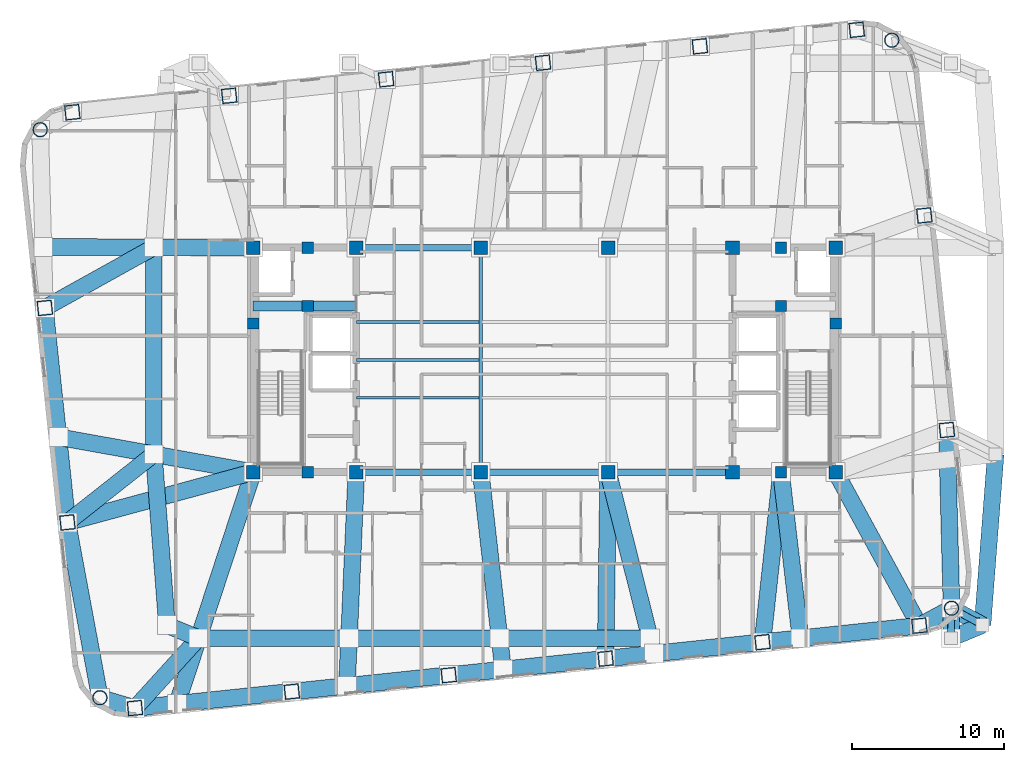
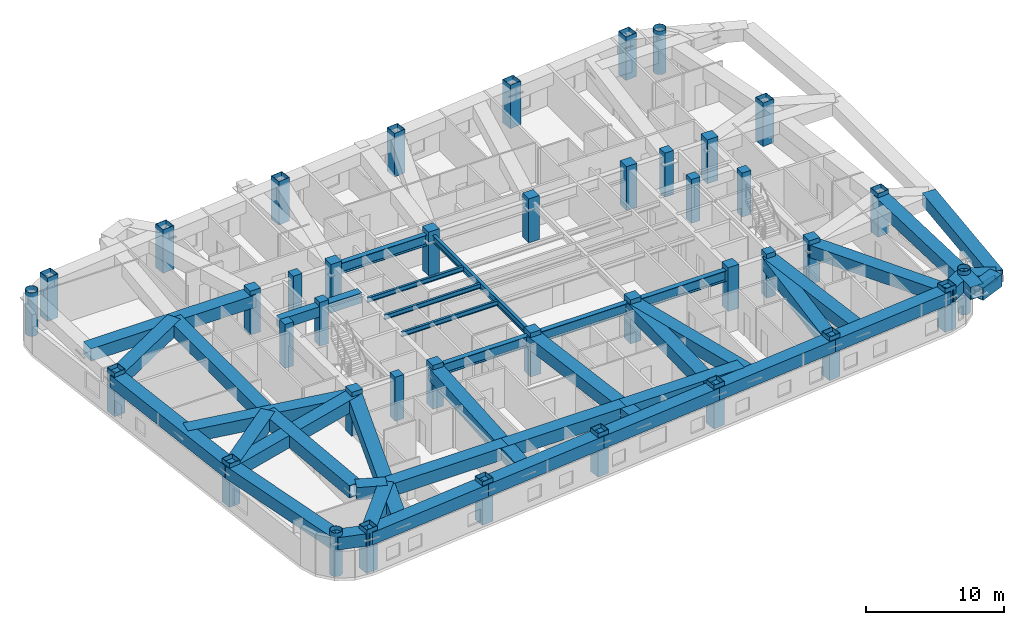
# One storey, part 1 of 13: 43 beams, 40 columns, 2 members.
"""IFC4 building model written with IfcOpenShell, lengths in metres."""

from ifc_helpers import new_model, si_unit, direction, frame, origin, origin_2d, place, context, subcontext, project, spatial, rectangle, hollow_rectangle, hollow_circle, i_section, extrude, material, material_profile, profile_set, type_object, element, save


model = new_model("IFC4")

# Units and contexts
model_context = context("Model", 3, precision=1e-05, world=origin(), true_north=direction((0.0, 1.0)))
body_context = subcontext(model_context, "Body", "Model", "MODEL_VIEW")
ifc_project = project(units=[si_unit("LENGTHUNIT", "METRE"), si_unit("AREAUNIT", "SQUARE_METRE"), si_unit("VOLUMEUNIT", "CUBIC_METRE"), si_unit("PLANEANGLEUNIT", "RADIAN"), si_unit("MASSUNIT", "GRAM", prefix="KILO")], contexts=[model_context])

# Site, building, storey
site_placement = place(None, origin())
site = spatial("IfcSite", under=ifc_project, at=site_placement, CompositionType="ELEMENT")
building_placement = place(site_placement, origin())
building = spatial("IfcBuilding", under=site, at=building_placement, Name="Voryun Gate Residences", CompositionType="ELEMENT")
storey_placement = place(building_placement, frame((0.0, 0.0, 191.10009765625)))
storey = spatial("IfcBuildingStorey", under=building, at=storey_placement, Name="L47", CompositionType="ELEMENT", Elevation=191.10009765625)

# Columns
ifc_material_1 = material(Name="Concrete C50/60", Category="concrete")
ifc_material_profile_1 = material_profile(ifc_material_1, rectangle(XDim=0.75, YDim=0.75, at=origin_2d()), Name="RC-750x750")
ifc_profile_set_1 = profile_set([ifc_material_profile_1], Name="Concrete C50/60")
column_type_1 = type_object("IfcColumnType", Name="COL_CORE_750", PredefinedType="COLUMN", material=ifc_profile_set_1)
for number, where, z_axis, x_axis, name in (
    (1, (-19.199951171875, 2.39990234375, 0.0), (0.0, 0.0, 1.0), (1.0, 0.0, 0.0), "L47 Core boundary column WC-MW"),
    (2, (-15.60009765625, -7.39990234375, 0.0), (0.0, 0.0, 1.0), (1.0, 0.0, 0.0), "L47 Core boundary column WC-SM"),
    (3, (-15.60009765625, 7.39990234375, 0.0), (0.0, 0.0, 1.0), (1.0, 0.0, 0.0), "L47 Core boundary column WC-NM"),
    (4, (-15.60009765625, 3.550048828125, 0.0), (0.0, 0.0, 1.0), (1.0, 0.0, 0.0), "L47 Core boundary column WC-MM"),
    (5, (15.60009765625, 3.550048828125, 0.0), (0.0, 0.0, 1.0), (1.0, 0.0, 0.0), "L47 Core boundary column EC-MM"),
    (6, (15.60009765625, -7.39990234375, 0.0), (0.0, 0.0, 1.0), (1.0, 0.0, 0.0), "L47 Core boundary column EC-SM"),
    (7, (15.60009765625, 7.39990234375, 0.0), (0.0, 0.0, 1.0), (1.0, 0.0, 0.0), "L47 Core boundary column EC-NM"),
    (8, (19.199951171875, 2.39990234375, 0.0), (0.0, 0.0, 1.0), (1.0, 0.0, 0.0), "L47 Core boundary column EC-ME"),
):
    element("IfcColumn", number, at=place(storey_placement, frame(where, z_axis=z_axis, x_axis=x_axis)), inside=storey, type_object=column_type_1, Name=name, PredefinedType="COLUMN", context=body_context, shape_type="SweptSolid", body=[
        extrude(rectangle(XDim=0.75, YDim=0.75, at=origin_2d()), origin(), (0.0, 0.0, 1.0), 3.89990234375),
    ])
ifc_material_2 = material(Name="Concrete C50/60", Category="concrete")
ifc_material_profile_2 = material_profile(ifc_material_2, rectangle(XDim=0.89990234375, YDim=0.89990234375, at=origin_2d()), Name="RC-900x900")
ifc_profile_set_2 = profile_set([ifc_material_profile_2], Name="Concrete C50/60")
column_type_2 = type_object("IfcColumnType", Name="COL_CORE_900", PredefinedType="COLUMN", material=ifc_profile_set_2)
for number, where, z_axis, x_axis, name in (
    (9, (-19.199951171875, -7.39990234375, 0.0), (0.0, 0.0, 1.0), (1.0, 0.0, 0.0), "L47 Core boundary column WC-SW"),
    (10, (-19.199951171875, 7.39990234375, 0.0), (0.0, 0.0, 1.0), (1.0, 0.0, 0.0), "L47 Core boundary column WC-NW"),
    (11, (-12.39990234375, -7.39990234375, 0.0), (0.0, 0.0, 1.0), (1.0, 0.0, 0.0), "L47 Core boundary column WC-SE"),
    (12, (-12.39990234375, 7.39990234375, 0.0), (0.0, 0.0, 1.0), (1.0, 0.0, 0.0), "L47 Core boundary column WC-NE"),
    (13, (12.39990234375, -7.39990234375, 0.0), (0.0, 0.0, 1.0), (1.0, 0.0, 0.0), "L47 Core boundary column EC-SW"),
    (14, (12.39990234375, 7.39990234375, 0.0), (0.0, 0.0, 1.0), (1.0, 0.0, 0.0), "L47 Core boundary column EC-NW"),
    (15, (19.199951171875, -7.39990234375, 0.0), (0.0, 0.0, 1.0), (1.0, 0.0, 0.0), "L47 Core boundary column EC-SE"),
    (16, (19.199951171875, 7.39990234375, 0.0), (0.0, 0.0, 1.0), (1.0, 0.0, 0.0), "L47 Core boundary column EC-NE"),
    (17, (-4.199951171875, -7.39990234375, 0.0), (0.0, 0.0, 1.0), (1.0, 0.0, 0.0), "L47 Interior spine column SP-WS"),
    (18, (-4.199951171875, 7.39990234375, 0.0), (0.0, 0.0, 1.0), (1.0, 0.0, 0.0), "L47 Interior spine column SP-WN"),
    (19, (4.199951171875, -7.39990234375, 0.0), (0.0, 0.0, 1.0), (1.0, 0.0, 0.0), "L47 Interior spine column SP-ES"),
    (20, (4.199951171875, 7.39990234375, 0.0), (0.0, 0.0, 1.0), (1.0, 0.0, 0.0), "L47 Interior spine column SP-EN"),
):
    element("IfcColumn", number, at=place(storey_placement, frame(where, z_axis=z_axis, x_axis=x_axis)), inside=storey, type_object=column_type_2, Name=name, PredefinedType="COLUMN", context=body_context, shape_type="SweptSolid", body=[
        extrude(rectangle(XDim=0.89990234375, YDim=0.89990234375, at=origin_2d()), origin(), (0.0, 0.0, 1.0), 3.89990234375),
    ])
ifc_material_3 = material(Name="Steel SM420", Category="steel")
ifc_material_profile_3 = material_profile(ifc_material_3, hollow_circle(Radius=0.47509765625, WallThickness=0.031982421875, at=origin_2d()), Name="CHS-950x32")
ifc_profile_set_3 = profile_set([ifc_material_profile_3], Name="Steel SM420")
column_type_3 = type_object("IfcColumnType", Name="COL_CRN_950", PredefinedType="COLUMN", material=ifc_profile_set_3)
for number, where, z_axis, x_axis, name in (
    (21, (26.8408203125, -16.373779296875, 0.0), (0.0, 0.0, 1.0), (0.994521895368, 0.104528463268, 0.0), "L47 Exoskeleton column CSE"),
    (22, (22.90478515625, 21.07470703125, 0.0), (0.0, 0.0, 1.0), (0.994521895368, 0.104528463268, 0.0), "L47 Exoskeleton column CNE"),
    (23, (-33.24072265625, 15.173583984375, 0.0), (0.0, 0.0, 1.0), (0.994521895368, 0.104528463268, 0.0), "L47 Exoskeleton column CNW"),
    (24, (-29.3046875, -22.27490234375, 0.0), (0.0, 0.0, 1.0), (0.994521895368, 0.104528463268, 0.0), "L47 Exoskeleton column CSW"),
):
    element("IfcColumn", number, at=place(storey_placement, frame(where, z_axis=z_axis, x_axis=x_axis)), inside=storey, type_object=column_type_3, Name=name, PredefinedType="COLUMN", context=body_context, shape_type="SweptSolid", body=[
        extrude(hollow_circle(Radius=0.47509765625, WallThickness=0.031982421875, at=origin_2d()), origin(), (0.0, 0.0, 1.0), 3.864990234375),
    ])
ifc_material_4 = material(Name="Steel SM420", Category="steel")
ifc_material_profile_4 = material_profile(ifc_material_4, hollow_rectangle(XDim=0.949951171875, YDim=0.949951171875, WallThickness=0.031982421875, at=origin_2d()), Name="BOX-950x950x32")
ifc_profile_set_4 = profile_set([ifc_material_profile_4], Name="Steel SM420")
column_type_4 = type_object("IfcColumnType", Name="COL_EXO_B3", PredefinedType="COLUMN", material=ifc_profile_set_4)
for number, where, z_axis, x_axis, name in (
    (25, (-26.9931640625, -22.95947265625, 0.0), (0.0, 0.0, 1.0), (0.994521895368, 0.104528463268, 0.0), "L47 Exoskeleton column S1"),
    (26, (-16.650146484375, -21.87255859375, 0.0), (0.0, 0.0, 1.0), (0.994521895368, 0.104528463268, 0.0), "L47 Exoskeleton column S2"),
    (27, (-6.30712890625, -20.785400390625, 0.0), (0.0, 0.0, 1.0), (0.994521895368, 0.104528463268, 0.0), "L47 Exoskeleton column S3"),
    (28, (4.035888671875, -19.6982421875, 0.0), (0.0, 0.0, 1.0), (0.994521895368, 0.104528463268, 0.0), "L47 Exoskeleton column S4"),
    (29, (14.37890625, -18.611083984375, 0.0), (0.0, 0.0, 1.0), (0.994521895368, 0.104528463268, 0.0), "L47 Exoskeleton column S5"),
    (30, (24.721923828125, -17.524169921875, 0.0), (0.0, 0.0, 1.0), (0.994521895368, 0.104528463268, 0.0), "L47 Exoskeleton column S6"),
    (31, (26.533447265625, -4.6240234375, 0.0), (0.0, 0.0, 1.0), (0.994521895368, 0.104528463268, 0.0), "L47 Exoskeleton column E1"),
    (32, (25.047119140625, 9.51806640625, 0.0), (0.0, 0.0, 1.0), (0.994521895368, 0.104528463268, 0.0), "L47 Exoskeleton column E2"),
    (33, (20.593017578125, 21.759521484375, 0.0), (0.0, 0.0, 1.0), (0.994521895368, 0.104528463268, 0.0), "L47 Exoskeleton column N1"),
    (34, (10.25, 20.67236328125, 0.0), (0.0, 0.0, 1.0), (0.994521895368, 0.104528463268, 0.0), "L47 Exoskeleton column N2"),
    (35, (-0.093017578125, 19.58544921875, 0.0), (0.0, 0.0, 1.0), (0.994521895368, 0.104528463268, 0.0), "L47 Exoskeleton column N3"),
    (36, (-10.43603515625, 18.498291015625, 0.0), (0.0, 0.0, 1.0), (0.994521895368, 0.104528463268, 0.0), "L47 Exoskeleton column N4"),
    (37, (-20.779052734375, 17.4111328125, 0.0), (0.0, 0.0, 1.0), (0.994521895368, 0.104528463268, 0.0), "L47 Exoskeleton column N5"),
    (38, (-31.1220703125, 16.323974609375, 0.0), (0.0, 0.0, 1.0), (0.994521895368, 0.104528463268, 0.0), "L47 Exoskeleton column N6"),
    (39, (-32.93359375, 3.424072265625, 0.0), (0.0, 0.0, 1.0), (0.994521895368, 0.104528463268, 0.0), "L47 Exoskeleton column W1"),
    (40, (-31.447021484375, -10.718017578125, 0.0), (0.0, 0.0, 1.0), (0.994521895368, 0.104528463268, 0.0), "L47 Exoskeleton column W2"),
):
    element("IfcColumn", number, at=place(storey_placement, frame(where, z_axis=z_axis, x_axis=x_axis)), inside=storey, type_object=column_type_4, Name=name, PredefinedType="COLUMN", context=body_context, shape_type="SweptSolid", body=[
        extrude(hollow_rectangle(XDim=0.949951171875, YDim=0.949951171875, WallThickness=0.031982421875, at=origin_2d()), origin(), (0.0, 0.0, 1.0), 3.864990234375),
    ])

# Beams
ifc_material_5 = material(Name="Steel SM420", Category="steel")
ifc_material_profile_5 = material_profile(ifc_material_5, hollow_rectangle(XDim=1.10009765625, YDim=1.10009765625, WallThickness=0.035888671875, at=origin_2d()), Name="BOX-1100x1100x36")
ifc_profile_set_5 = profile_set([ifc_material_profile_5], Name="Steel SM420")
beam_type_1 = type_object("IfcBeamType", Name="BM_ARCH_RIB", PredefinedType="USERDEFINED", material=ifc_profile_set_5)
for number, where, z_axis, x_axis, name in (
    (41, (-26.9931640625, -22.95947265625, 2.949951171875), (0.99452370336, 0.10451125994, 0.0), (-0.10451125994, 0.99452370336, 0.0), "BM-L47-SPAND-01"),
    (42, (-16.650146484375, -21.87255859375, 2.949951171875), (0.994521263116, 0.104534478571, 0.0), (-0.104534478571, 0.994521263116, 0.0), "BM-L47-SPAND-02"),
    (43, (-6.30712890625, -20.785400390625, 2.949951171875), (0.994521263116, 0.104534478571, 0.0), (-0.104534478571, 0.994521263116, 0.0), "BM-L47-SPAND-03"),
    (44, (4.035888671875, -19.6982421875, 2.949951171875), (0.994521263116, 0.104534478571, 0.0), (-0.104534478571, 0.994521263116, 0.0), "BM-L47-SPAND-04"),
    (45, (14.37890625, -18.611083984375, 2.949951171875), (0.99452370336, 0.10451125994, 0.0), (-0.10451125994, 0.99452370336, 0.0), "BM-L47-SPAND-05"),
):
    element("IfcBeam", number, at=place(storey_placement, frame(where, z_axis=z_axis, x_axis=x_axis)), inside=storey, type_object=beam_type_1, Name=name, ObjectType="GIRDER", PredefinedType="USERDEFINED", context=body_context, shape_type="SweptSolid", body=[
        extrude(hollow_rectangle(XDim=1.10009765625, YDim=1.10009765625, WallThickness=0.035888671875, at=origin_2d()), origin(), (0.0, 0.0, 1.0), 10.39990234375),
    ])
beam_1_placement = place(storey_placement, frame((24.721923828125, -17.524169921875, 2.949951171875), z_axis=(0.878830382314, 0.477134319791, 0.0), x_axis=(-0.477134319791, 0.878830382314, 0.0)))
element("IfcBeam", 46, at=beam_1_placement, inside=storey, type_object=beam_type_1, Name="BM-L47-SPAND-06", ObjectType="GIRDER", PredefinedType="USERDEFINED", context=body_context, shape_type="SweptSolid", body=[
    extrude(hollow_rectangle(XDim=1.10009765625, YDim=1.10009765625, WallThickness=0.035888671875, at=origin_2d()), origin(), (0.0, 0.0, 1.0), 2.4111328125),
])
beam_2_placement = place(storey_placement, frame((26.8408203125, -16.373779296875, 2.949951171875), z_axis=(-0.026151005195, 0.999658003983, 0.0), x_axis=(-0.999658003983, -0.026151005195, 0.0)))
element("IfcBeam", 47, at=beam_2_placement, inside=storey, type_object=beam_type_1, Name="BM-L47-SPAND-07", ObjectType="GIRDER", PredefinedType="USERDEFINED", context=body_context, shape_type="SweptSolid", body=[
    extrude(hollow_rectangle(XDim=1.10009765625, YDim=1.10009765625, WallThickness=0.035888671875, at=origin_2d()), origin(), (0.0, 0.0, 1.0), 11.753662109375),
])
beam_3_placement = place(storey_placement, frame((-32.93359375, 3.424072265625, 2.949951171875), z_axis=(0.104540894669, -0.994520588697, 0.0), x_axis=(0.994520588697, 0.104540894669, 0.0)))
element("IfcBeam", 48, at=beam_3_placement, inside=storey, type_object=beam_type_1, Name="BM-L47-SPAND-18", ObjectType="GIRDER", PredefinedType="USERDEFINED", context=body_context, shape_type="SweptSolid", body=[
    extrude(hollow_rectangle(XDim=1.10009765625, YDim=1.10009765625, WallThickness=0.035888671875, at=origin_2d()), origin(), (0.0, 0.0, 1.0), 14.219970703125),
])
beam_4_placement = place(storey_placement, frame((-31.447021484375, -10.718017578125, 2.949951171875), z_axis=(0.182267768769, -0.983248931079, 0.0), x_axis=(0.983248931079, 0.182267768769, 0.0)))
element("IfcBeam", 49, at=beam_4_placement, inside=storey, type_object=beam_type_1, Name="BM-L47-SPAND-19", ObjectType="GIRDER", PredefinedType="USERDEFINED", context=body_context, shape_type="SweptSolid", body=[
    extrude(hollow_rectangle(XDim=1.10009765625, YDim=1.10009765625, WallThickness=0.035888671875, at=origin_2d()), origin(), (0.0, 0.0, 1.0), 11.753662109375),
])
beam_5_placement = place(storey_placement, frame((-29.3046875, -22.27490234375, 2.949951171875), z_axis=(0.958834884093, -0.283964196768, 0.0), x_axis=(0.283964196768, 0.958834884093, 0.0)))
element("IfcBeam", 50, at=beam_5_placement, inside=storey, type_object=beam_type_1, Name="BM-L47-SPAND-20", ObjectType="GIRDER", PredefinedType="USERDEFINED", context=body_context, shape_type="SweptSolid", body=[
    extrude(hollow_rectangle(XDim=1.10009765625, YDim=1.10009765625, WallThickness=0.035888671875, at=origin_2d()), origin(), (0.0, 0.0, 1.0), 2.41064453125),
])
beam_6_placement = place(storey_placement, frame((-19.199951171875, -7.39990234375, 2.949951171875), z_axis=(-0.312315065651, -0.949978578583, 0.0), x_axis=(0.949978578583, -0.312315065651, 0.0)))
element("IfcBeam", 51, at=beam_6_placement, inside=storey, type_object=beam_type_1, Name="BM-L47-XFERCANT-S1", ObjectType="GIRDER", PredefinedType="USERDEFINED", context=body_context, shape_type="SweptSolid", body=[
    extrude(hollow_rectangle(XDim=1.10009765625, YDim=1.10009765625, WallThickness=0.035888671875, at=origin_2d()), origin(), (0.0, 0.0, 1.0), 16.072021484375),
])
beam_7_placement = place(storey_placement, frame((-26.9931640625, -22.95947265625, 2.949951171875), z_axis=(0.67291652447, 0.7397184269, 0.0), x_axis=(-0.7397184269, 0.67291652447, 0.0)))
element("IfcBeam", 52, at=beam_7_placement, inside=storey, type_object=beam_type_1, Name="BM-L47-XFERLOW-S1", ObjectType="GIRDER", PredefinedType="USERDEFINED", context=body_context, shape_type="SweptSolid", body=[
    extrude(hollow_rectangle(XDim=1.10009765625, YDim=1.10009765625, WallThickness=0.035888671875, at=origin_2d()), origin(), (0.0, 0.0, 1.0), 6.231201171875),
])
beam_8_placement = place(storey_placement, frame((-12.39990234375, -7.39990234375, 2.949951171875), z_axis=(-0.043793276631, -0.99904061425, 0.0), x_axis=(0.99904061425, -0.043793276631, 0.0)))
element("IfcBeam", 53, at=beam_8_placement, inside=storey, type_object=beam_type_1, Name="BM-L47-XFERCANT-S2", ObjectType="GIRDER", PredefinedType="USERDEFINED", context=body_context, shape_type="SweptSolid", body=[
    extrude(hollow_rectangle(XDim=1.10009765625, YDim=1.10009765625, WallThickness=0.035888671875, at=origin_2d()), origin(), (0.0, 0.0, 1.0), 14.104248046875),
])
beam_9_placement = place(storey_placement, frame((-4.199951171875, -7.39990234375, 2.949951171875), z_axis=(0.112518890524, -0.993649585757, 0.0), x_axis=(0.993649585757, 0.112518890524, 0.0)))
element("IfcBeam", 54, at=beam_9_placement, inside=storey, type_object=beam_type_1, Name="BM-L47-XFERCANT-S3", ObjectType="GIRDER", PredefinedType="USERDEFINED", context=body_context, shape_type="SweptSolid", body=[
    extrude(hollow_rectangle(XDim=1.10009765625, YDim=1.10009765625, WallThickness=0.035888671875, at=origin_2d()), origin(), (0.0, 0.0, 1.0), 13.092529296875),
])
beam_10_placement = place(storey_placement, frame((4.199951171875, -7.39990234375, 2.949951171875), z_axis=(0.244411463336, -0.969671612759, 0.0), x_axis=(0.969671612759, 0.244411463336, 0.0)))
element("IfcBeam", 55, at=beam_10_placement, inside=storey, type_object=beam_type_1, Name="BM-L47-XFERCANT-S4", ObjectType="GIRDER", PredefinedType="USERDEFINED", context=body_context, shape_type="SweptSolid", body=[
    extrude(hollow_rectangle(XDim=1.10009765625, YDim=1.10009765625, WallThickness=0.035888671875, at=origin_2d()), origin(), (0.0, 0.0, 1.0), 12.33837890625),
])
beam_11_placement = place(storey_placement, frame((15.60009765625, -7.39990234375, 2.949951171875), z_axis=(0.116101025779, -0.993237409592, 0.0), x_axis=(0.993237409592, 0.116101025779, 0.0)))
element("IfcBeam", 56, at=beam_11_placement, inside=storey, type_object=beam_type_1, Name="BM-L47-XFERCANT-S5", ObjectType="GIRDER", PredefinedType="USERDEFINED", context=body_context, shape_type="SweptSolid", body=[
    extrude(hollow_rectangle(XDim=1.10009765625, YDim=1.10009765625, WallThickness=0.035888671875, at=origin_2d()), origin(), (0.0, 0.0, 1.0), 11.02294921875),
])
beam_12_placement = place(storey_placement, frame((26.8408203125, -16.373779296875, 2.949951171875), z_axis=(-0.020625629887, -0.999787269069, 0.0), x_axis=(0.999787269069, -0.020625629887, 0.0)))
element("IfcBeam", 57, at=beam_12_placement, inside=storey, type_object=beam_type_1, Name="BM-L47-XFERLOW-S6", ObjectType="GIRDER", PredefinedType="USERDEFINED", context=body_context, shape_type="SweptSolid", body=[
    extrude(hollow_rectangle(XDim=1.10009765625, YDim=1.10009765625, WallThickness=0.035888671875, at=origin_2d()), origin(), (0.0, 0.0, 1.0), 1.976806640625),
])
beam_13_placement = place(storey_placement, frame((26.8408203125, -16.373779296875, 2.949951171875), z_axis=(0.878480041415, -0.477779046041, 0.0), x_axis=(0.477779046041, 0.878480041415, 0.0)))
element("IfcBeam", 58, at=beam_13_placement, inside=storey, type_object=beam_type_1, Name="BM-L47-XFERLOW-CSE", ObjectType="GIRDER", PredefinedType="USERDEFINED", context=body_context, shape_type="SweptSolid", body=[
    extrude(hollow_rectangle(XDim=1.10009765625, YDim=1.10009765625, WallThickness=0.035888671875, at=origin_2d()), origin(), (0.0, 0.0, 1.0), 2.328125),
])
beam_14_placement = place(storey_placement, frame((-19.199951171875, 7.39990234375, 2.949951171875), z_axis=(-0.999994323089, 0.003369538418, 0.0), x_axis=(-0.003369538418, -0.999994323089, 0.0)))
element("IfcBeam", 59, at=beam_14_placement, inside=storey, type_object=beam_type_1, Name="BM-L47-XFERCANT-W1", ObjectType="GIRDER", PredefinedType="USERDEFINED", context=body_context, shape_type="SweptSolid", body=[
    extrude(hollow_rectangle(XDim=1.10009765625, YDim=1.10009765625, WallThickness=0.035888671875, at=origin_2d()), origin(), (0.0, 0.0, 1.0), 13.8388671875),
])
beam_15_placement = place(storey_placement, frame((-32.93359375, 3.424072265625, 2.949951171875), z_axis=(0.873787218312, 0.486308438251, 0.0), x_axis=(-0.486308438251, 0.873787218312, 0.0)))
element("IfcBeam", 60, at=beam_15_placement, inside=storey, type_object=beam_type_1, Name="BM-L47-XFERLOW-W1", ObjectType="GIRDER", PredefinedType="USERDEFINED", context=body_context, shape_type="SweptSolid", body=[
    extrude(hollow_rectangle(XDim=1.10009765625, YDim=1.10009765625, WallThickness=0.035888671875, at=origin_2d()), origin(), (0.0, 0.0, 1.0), 8.22119140625),
])
beam_16_placement = place(storey_placement, frame((-19.199951171875, -7.39990234375, 2.949951171875), z_axis=(-0.984211570171, 0.176996003178, 0.0), x_axis=(-0.176996003178, -0.984211570171, 0.0)))
element("IfcBeam", 61, at=beam_16_placement, inside=storey, type_object=beam_type_1, Name="BM-L47-XFERCANT-W2", ObjectType="GIRDER", PredefinedType="USERDEFINED", context=body_context, shape_type="SweptSolid", body=[
    extrude(hollow_rectangle(XDim=1.10009765625, YDim=1.10009765625, WallThickness=0.035888671875, at=origin_2d()), origin(), (0.0, 0.0, 1.0), 13.044677734375),
])
beam_17_placement = place(storey_placement, frame((-31.447021484375, -10.718017578125, 2.949951171875), z_axis=(0.784986946262, 0.619512303508, 0.0), x_axis=(-0.619512303508, 0.784986946262, 0.0)))
element("IfcBeam", 62, at=beam_17_placement, inside=storey, type_object=beam_type_1, Name="BM-L47-XFERLOW-W2", ObjectType="GIRDER", PredefinedType="USERDEFINED", context=body_context, shape_type="SweptSolid", body=[
    extrude(hollow_rectangle(XDim=1.10009765625, YDim=1.10009765625, WallThickness=0.035888671875, at=origin_2d()), origin(), (0.0, 0.0, 1.0), 7.257568359375),
])
beam_18_placement = place(storey_placement, frame((-22.800048828125, -18.35009765625, 2.949951171875), z_axis=(1.0, 0.0, 0.0), x_axis=(0.0, 1.0, 0.0)))
element("IfcBeam", 63, at=beam_18_placement, inside=storey, type_object=beam_type_1, Name="BM-L47-XFERRING-01", ObjectType="GIRDER", PredefinedType="USERDEFINED", context=body_context, shape_type="SweptSolid", body=[
    extrude(hollow_rectangle(XDim=1.10009765625, YDim=1.10009765625, WallThickness=0.035888671875, at=origin_2d()), origin(), (0.0, 0.0, 1.0), 9.920166015625),
])
for number, where, z_axis, x_axis, name in (
    (64, (-12.8798828125, -18.35009765625, 2.949951171875), (1.0, 0.0, 0.0), (0.0, 1.0, 0.0), "BM-L47-XFERRING-02"),
    (65, (-2.9599609375, -18.35009765625, 2.949951171875), (1.0, 0.0, 0.0), (0.0, 1.0, 0.0), "BM-L47-XFERRING-03"),
):
    element("IfcBeam", number, at=place(storey_placement, frame(where, z_axis=z_axis, x_axis=x_axis)), inside=storey, type_object=beam_type_1, Name=name, ObjectType="GIRDER", PredefinedType="USERDEFINED", context=body_context, shape_type="SweptSolid", body=[
        extrude(hollow_rectangle(XDim=1.10009765625, YDim=1.10009765625, WallThickness=0.035888671875, at=origin_2d()), origin(), (0.0, 0.0, 1.0), 9.919921875),
    ])
beam_19_placement = place(storey_placement, frame((26.800048828125, -18.35009765625, 2.949951171875), z_axis=(0.923881087602, 0.382679678022, 0.0), x_axis=(-0.382679678022, 0.923881087602, 0.0)))
element("IfcBeam", 66, at=beam_19_placement, inside=storey, type_object=beam_type_1, Name="BM-L47-XFERRING-06", ObjectType="GIRDER", PredefinedType="USERDEFINED", context=body_context, shape_type="SweptSolid", body=[
    extrude(hollow_rectangle(XDim=1.10009765625, YDim=1.10009765625, WallThickness=0.035888671875, at=origin_2d()), origin(), (0.0, 0.0, 1.0), 2.2578125),
])
beam_20_placement = place(storey_placement, frame((28.885986328125, -17.486083984375, 2.949951171875), z_axis=(0.076480009441, 0.997071114894, 0.0), x_axis=(-0.997071114894, 0.076480009441, 0.0)))
element("IfcBeam", 67, at=beam_20_placement, inside=storey, type_object=beam_type_1, Name="BM-L47-XFERRING-07", ObjectType="GIRDER", PredefinedType="USERDEFINED", context=body_context, shape_type="SweptSolid", body=[
    extrude(hollow_rectangle(XDim=1.10009765625, YDim=1.10009765625, WallThickness=0.035888671875, at=origin_2d()), origin(), (0.0, 0.0, 1.0), 11.29736328125),
])
beam_21_placement = place(storey_placement, frame((-25.75, 7.422119140625, 2.949951171875), z_axis=(0.0, -1.0, 0.0), x_axis=(1.0, 0.0, 0.0)))
element("IfcBeam", 68, at=beam_21_placement, inside=storey, type_object=beam_type_1, Name="BM-L47-XFERRING-18", ObjectType="GIRDER", PredefinedType="USERDEFINED", context=body_context, shape_type="SweptSolid", body=[
    extrude(hollow_rectangle(XDim=1.10009765625, YDim=1.10009765625, WallThickness=0.035888671875, at=origin_2d()), origin(), (0.0, 0.0, 1.0), 13.64404296875),
])
beam_22_placement = place(storey_placement, frame((-25.75, -6.221923828125, 2.949951171875), z_axis=(0.076480009441, -0.997071114894, 0.0), x_axis=(0.997071114894, 0.076480009441, 0.0)))
element("IfcBeam", 69, at=beam_22_placement, inside=storey, type_object=beam_type_1, Name="BM-L47-XFERRING-19", ObjectType="GIRDER", PredefinedType="USERDEFINED", context=body_context, shape_type="SweptSolid", body=[
    extrude(hollow_rectangle(XDim=1.10009765625, YDim=1.10009765625, WallThickness=0.035888671875, at=origin_2d()), origin(), (0.0, 0.0, 1.0), 11.29736328125),
])
beam_23_placement = place(storey_placement, frame((-24.885986328125, -17.486083984375, 2.949951171875), z_axis=(0.923881087602, -0.382679678022, 0.0), x_axis=(0.382679678022, 0.923881087602, 0.0)))
element("IfcBeam", 70, at=beam_23_placement, inside=storey, type_object=beam_type_1, Name="BM-L47-XFERRING-20", ObjectType="GIRDER", PredefinedType="USERDEFINED", context=body_context, shape_type="SweptSolid", body=[
    extrude(hollow_rectangle(XDim=1.10009765625, YDim=1.10009765625, WallThickness=0.035888671875, at=origin_2d()), origin(), (0.0, 0.0, 1.0), 2.2578125),
])
beam_24_placement = place(storey_placement, frame((4.199951171875, -7.39990234375, 2.949951171875), z_axis=(-0.013339028327, -0.999911031204, 0.0), x_axis=(0.999911031204, -0.013339028327, 0.0)))
element("IfcBeam", 71, at=beam_24_placement, inside=storey, type_object=beam_type_1, Name="BM-L47-RAD-S4", ObjectType="GIRDER", PredefinedType="USERDEFINED", context=body_context, shape_type="SweptSolid", body=[
    extrude(hollow_rectangle(XDim=1.10009765625, YDim=1.10009765625, WallThickness=0.035888671875, at=origin_2d()), origin(), (0.0, 0.0, 1.0), 12.29931640625),
])
beam_25_placement = place(storey_placement, frame((15.60009765625, -7.39990234375, 2.949951171875), z_axis=(-0.108285693252, -0.994119816037, 0.0), x_axis=(0.994119816037, -0.108285693252, 0.0)))
element("IfcBeam", 72, at=beam_25_placement, inside=storey, type_object=beam_type_1, Name="BM-L47-RAD-S5", ObjectType="GIRDER", PredefinedType="USERDEFINED", context=body_context, shape_type="SweptSolid", body=[
    extrude(hollow_rectangle(XDim=1.10009765625, YDim=1.10009765625, WallThickness=0.035888671875, at=origin_2d()), origin(), (0.0, 0.0, 1.0), 11.277587890625),
])
beam_26_placement = place(storey_placement, frame((19.199951171875, -7.39990234375, 2.949951171875), z_axis=(0.478828398266, -0.877908517451, 0.0), x_axis=(0.877908517451, 0.478828398266, 0.0)))
element("IfcBeam", 73, at=beam_26_placement, inside=storey, type_object=beam_type_1, Name="BM-L47-RAD-S6", ObjectType="GIRDER", PredefinedType="USERDEFINED", context=body_context, shape_type="SweptSolid", body=[
    extrude(hollow_rectangle(XDim=1.10009765625, YDim=1.10009765625, WallThickness=0.035888671875, at=origin_2d()), origin(), (0.0, 0.0, 1.0), 11.5322265625),
])
beam_27_placement = place(storey_placement, frame((-19.199951171875, -7.39990234375, 2.949951171875), z_axis=(-0.965202497616, -0.261503611058, 0.0), x_axis=(0.261503611058, -0.965202497616, 0.0)))
element("IfcBeam", 74, at=beam_27_placement, inside=storey, type_object=beam_type_1, Name="BM-L47-RAD-W2", ObjectType="GIRDER", PredefinedType="USERDEFINED", context=body_context, shape_type="SweptSolid", body=[
    extrude(hollow_rectangle(XDim=1.10009765625, YDim=1.10009765625, WallThickness=0.035888671875, at=origin_2d()), origin(), (0.0, 0.0, 1.0), 12.688720703125),
])
ifc_material_6 = material(Name="Concrete C60/75", Category="concrete")
ifc_material_profile_6 = material_profile(ifc_material_6, rectangle(XDim=0.64990234375, YDim=0.89990234375, at=origin_2d()), Name="RC-650x900")
ifc_profile_set_6 = profile_set([ifc_material_profile_6], Name="Concrete C60/75")
beam_type_2 = type_object("IfcBeamType", Name="BM_COUP_RC900", PredefinedType="LINTEL", material=ifc_profile_set_6)
beam_28_placement = place(storey_placement, frame((-19.199951171875, 3.550048828125, 3.0498046875), z_axis=(1.0, 0.0, 0.0), x_axis=(0.0, 1.0, 0.0)))
element("IfcBeam", 75, at=beam_28_placement, inside=storey, type_object=beam_type_2, Name="BM-L47-WC1", PredefinedType="LINTEL", context=body_context, shape_type="SweptSolid", body=[
    extrude(rectangle(XDim=0.64990234375, YDim=0.89990234375, at=origin_2d()), origin(), (0.0, 0.0, 1.0), 6.800048828125),
])
ifc_material_7 = material(Name="Steel SM355", Category="steel")
ifc_material_profile_7 = material_profile(ifc_material_7, i_section(OverallWidth=0.25, OverallDepth=0.60009765625, WebThickness=0.011962890625, FlangeThickness=0.02197265625, FilletRadius=0.01806640625, at=origin_2d()), Name="H-600x250x12x22")
ifc_profile_set_7 = profile_set([ifc_material_profile_7], Name="Steel SM355")
beam_type_3 = type_object("IfcBeamType", Name="BM_GIRD_600", PredefinedType="USERDEFINED", material=ifc_profile_set_7)
beam_29_placement = place(storey_placement, frame((-4.199951171875, -7.39990234375, 3.199951171875), z_axis=(0.0, 1.0, 0.0), x_axis=(-1.0, 0.0, 0.0)))
element("IfcBeam", 76, at=beam_29_placement, inside=storey, type_object=beam_type_3, Name="BM-L47-SPX-W", ObjectType="GIRDER", PredefinedType="USERDEFINED", context=body_context, shape_type="SweptSolid", body=[
    extrude(i_section(OverallWidth=0.25, OverallDepth=0.60009765625, WebThickness=0.011962890625, FlangeThickness=0.02197265625, FilletRadius=0.01806640625, at=origin_2d()), origin(), (0.0, 0.0, 1.0), 14.7998046875),
])
ifc_material_8 = material(Name="Steel SM355", Category="steel")
ifc_material_profile_8 = material_profile(ifc_material_8, i_section(OverallWidth=0.18994140625, OverallDepth=0.419921875, WebThickness=0.009033203125, FlangeThickness=0.01611328125, FilletRadius=0.01806640625, at=origin_2d()), Name="H-420x190x9x16")
ifc_profile_set_8 = profile_set([ifc_material_profile_8], Name="Steel SM355")
beam_type_4 = type_object("IfcBeamType", Name="BM_SEC_420", PredefinedType="BEAM", material=ifc_profile_set_8)
for number, where, z_axis, x_axis, name in (
    (77, (-12.39990234375, -2.5, 3.289794921875), (1.0, 0.0, 0.0), (0.0, 1.0, 0.0), "BM-L47-SEC-CS1"),
    (78, (-12.39990234375, 0.0, 3.289794921875), (1.0, 0.0, 0.0), (0.0, 1.0, 0.0), "BM-L47-SEC-CM1"),
    (79, (-12.39990234375, 2.5, 3.289794921875), (1.0, 0.0, 0.0), (0.0, 1.0, 0.0), "BM-L47-SEC-CN1"),
):
    element("IfcBeam", number, at=place(storey_placement, frame(where, z_axis=z_axis, x_axis=x_axis)), inside=storey, type_object=beam_type_4, Name=name, PredefinedType="BEAM", context=body_context, shape_type="SweptSolid", body=[
        extrude(i_section(OverallWidth=0.18994140625, OverallDepth=0.419921875, WebThickness=0.009033203125, FlangeThickness=0.01611328125, FilletRadius=0.01806640625, at=origin_2d()), origin(), (0.0, 0.0, 1.0), 8.099853515625),
    ])
ifc_material_9 = material(Name="Steel SM420", Category="steel")
ifc_material_profile_9 = material_profile(ifc_material_9, i_section(OverallWidth=0.419921875, OverallDepth=0.949951171875, WebThickness=0.02001953125, FlangeThickness=0.035888671875, FilletRadius=0.01806640625, at=origin_2d()), Name="H-950x420x20x36")
ifc_profile_set_9 = profile_set([ifc_material_profile_9], Name="Steel SM420")
beam_type_5 = type_object("IfcBeamType", Name="BM_XFER_950", PredefinedType="USERDEFINED", material=ifc_profile_set_9)
beam_30_placement = place(storey_placement, frame((-12.39990234375, -7.39990234375, 3.02490234375), z_axis=(1.0, 0.0, 0.0), x_axis=(0.0, 1.0, 0.0)))
element("IfcBeam", 80, at=beam_30_placement, inside=storey, type_object=beam_type_5, Name="BM-L47-SPG1-S", ObjectType="GIRDER", PredefinedType="USERDEFINED", context=body_context, shape_type="SweptSolid", body=[
    extrude(i_section(OverallWidth=0.419921875, OverallDepth=0.949951171875, WebThickness=0.02001953125, FlangeThickness=0.035888671875, FilletRadius=0.01806640625, at=origin_2d()), origin(), (0.0, 0.0, 1.0), 8.199951171875),
])
beam_31_placement = place(storey_placement, frame((-4.199951171875, -7.39990234375, 3.02490234375), z_axis=(1.0, 0.0, 0.0), x_axis=(0.0, 1.0, 0.0)))
element("IfcBeam", 81, at=beam_31_placement, inside=storey, type_object=beam_type_5, Name="BM-L47-SPG2-S", ObjectType="GIRDER", PredefinedType="USERDEFINED", context=body_context, shape_type="SweptSolid", body=[
    extrude(i_section(OverallWidth=0.419921875, OverallDepth=0.949951171875, WebThickness=0.02001953125, FlangeThickness=0.035888671875, FilletRadius=0.01806640625, at=origin_2d()), origin(), (0.0, 0.0, 1.0), 8.39990234375),
])
for number, where, z_axis, x_axis, name in (
    (82, (4.199951171875, -7.39990234375, 3.02490234375), (1.0, 0.0, 0.0), (0.0, 1.0, 0.0), "BM-L47-SPG3-S"),
    (83, (-12.39990234375, 7.39990234375, 3.02490234375), (1.0, 0.0, 0.0), (0.0, 1.0, 0.0), "BM-L47-SPG1-N"),
):
    element("IfcBeam", number, at=place(storey_placement, frame(where, z_axis=z_axis, x_axis=x_axis)), inside=storey, type_object=beam_type_5, Name=name, ObjectType="GIRDER", PredefinedType="USERDEFINED", context=body_context, shape_type="SweptSolid", body=[
        extrude(i_section(OverallWidth=0.419921875, OverallDepth=0.949951171875, WebThickness=0.02001953125, FlangeThickness=0.035888671875, FilletRadius=0.01806640625, at=origin_2d()), origin(), (0.0, 0.0, 1.0), 8.199951171875),
    ])

# Members
ifc_material_10 = material(Name="Steel SM420", Category="steel")
ifc_material_profile_10 = material_profile(ifc_material_10, hollow_circle(Radius=0.22998046875, WallThickness=0.02197265625, at=origin_2d()), Name="CHS-460x22")
ifc_profile_set_10 = profile_set([ifc_material_profile_10], Name="Steel SM420")
member_type = type_object("IfcMemberType", Name="MBR_CANT_STRUT_UP", PredefinedType="STRUT", material=ifc_profile_set_10)
member_1_placement = place(storey_placement, frame((26.83203125, -16.793701171875, 2.559814453125), z_axis=(-0.01878153766, -0.913987042634, 0.405308450122), x_axis=(0.999788935738, -0.020544682444, 0.0)))
element("IfcMember", 84, at=member_1_placement, inside=storey, type_object=member_type, Name="L47 Block B4 Cantilever Strut S6", PredefinedType="STRUT", context=body_context, shape_type="SweptSolid", body=[
    extrude(hollow_circle(Radius=0.22998046875, WallThickness=0.02197265625, at=origin_2d()), origin(), (0.0, 0.0, 1.0), 1.702880859375),
])
member_2_placement = place(storey_placement, frame((27.209716796875, -16.574462890625, 1.599853515625), z_axis=(0.717134436966, -0.390005824007, 0.577592985205), x_axis=(0.477758088342, 0.878491439357, 0.0)))
element("IfcMember", 85, at=member_2_placement, inside=storey, type_object=member_type, Name="L47 Block B4 Cantilever Strut CSE", PredefinedType="STRUT", context=body_context, shape_type="SweptSolid", body=[
    extrude(hollow_circle(Radius=0.22998046875, WallThickness=0.02197265625, at=origin_2d()), origin(), (0.0, 0.0, 1.0), 2.33740234375),
])

save(model, "model.ifc")
